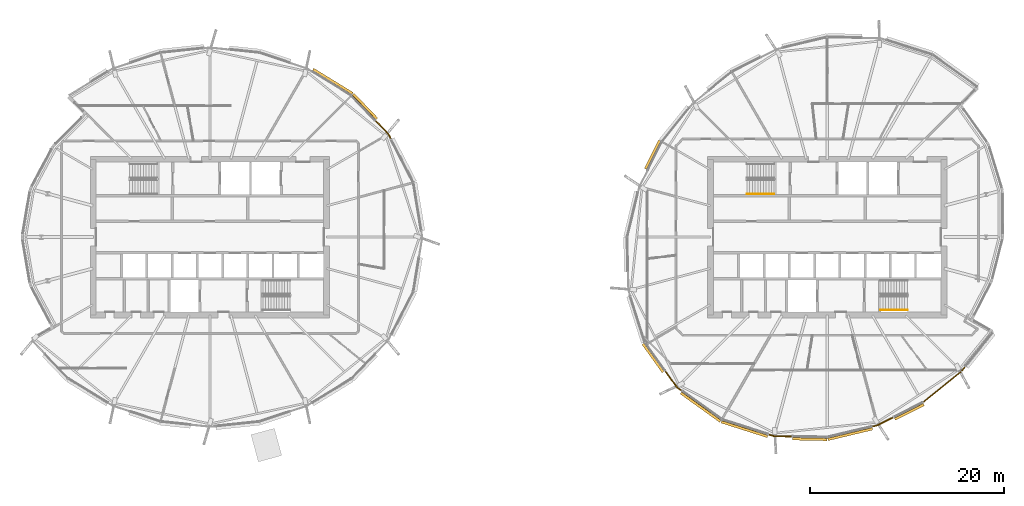
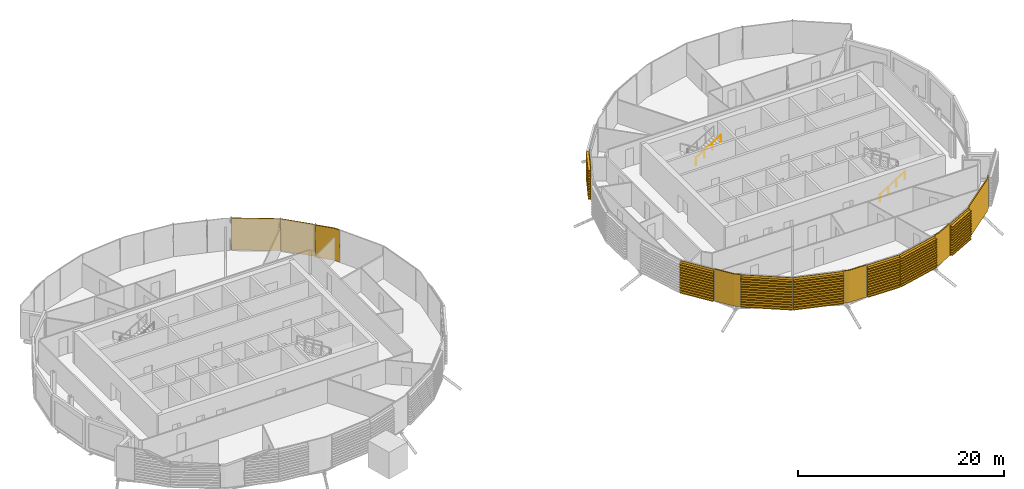
# One storey, part 36 of 38: 14 coverings, 2 railings.
"""IFC4 building model written with IfcOpenShell, lengths in metres."""

from ifc_helpers import new_model, si_unit, direction, frame, origin, origin_2d, place, context, subcontext, project, spatial, polyline, circle, outline, extrude, material, layer, layer_set, material_profile, profile_set, type_object, element, save


model = new_model("IFC4")

# Units and contexts
model_context = context("Model", 3, precision=1e-05, world=origin(), true_north=direction((0.0, 1.0)))
body_context = subcontext(model_context, "Body", "Model", "MODEL_VIEW")
ifc_project = project(units=[si_unit("LENGTHUNIT", "METRE"), si_unit("AREAUNIT", "SQUARE_METRE"), si_unit("VOLUMEUNIT", "CUBIC_METRE"), si_unit("PLANEANGLEUNIT", "RADIAN"), si_unit("MASSUNIT", "GRAM", prefix="KILO")], contexts=[model_context])

# Site, building, storey
site_placement = place(None, origin())
site = spatial("IfcSite", under=ifc_project, at=site_placement, CompositionType="ELEMENT")
building_placement = place(site_placement, origin())
building = spatial("IfcBuilding", under=site, at=building_placement, Name="Rimbun Link Towers", CompositionType="ELEMENT")
storey_placement = place(building_placement, frame((0.0, 0.0, 185.5)))
storey = spatial("IfcBuildingStorey", under=building, at=storey_placement, Name="L45", CompositionType="ELEMENT", Elevation=185.5)

# Coverings
ifc_material_1 = material(Name="Terracotta", Category="masonry")
ifc_layer = layer(ifc_material_1, 0.1201171875)
ifc_layer_set = layer_set([ifc_layer], Name="LINK PIER terracotta cladding 120")
covering_type_1 = type_object("IfcCoveringType", Name="LINK PIER terracotta cladding 120", PredefinedType="CLADDING", material=ifc_layer_set)
covering_1_placement = place(storey_placement, origin())
element("IfcCovering", 1, at=covering_1_placement, inside=storey, type_object=covering_type_1, Name="LINK PIER cladding", PredefinedType="CLADDING", context=body_context, shape_type="SweptSolid", body=[
    extrude(outline(polyline([(-14.771728515625, 11.95556640625), (-13.443115234375, 10.569580078125), (-13.18115234375, 10.0634765625), (-13.074462890625, 10.118408203125), (-13.344482421875, 10.64013671875), (-14.68505859375, 12.03857421875), (-14.771728515625, 11.95556640625)])), origin(), (0.0, 0.0, 1.0), 3.800048828125),
])
covering_2_placement = place(storey_placement, origin())
element("IfcCovering", 2, at=covering_2_placement, inside=storey, type_object=covering_type_1, Name="LINK PIER cladding", PredefinedType="CLADDING", context=body_context, shape_type="SweptSolid", body=[
    extrude(outline(polyline([(16.838134765625, -15.777099609375), (16.33447265625, -15.41552734375), (15.12744140625, -13.73388671875), (15.030029296875, -13.8037109375), (16.248291015625, -15.501708984375), (16.76806640625, -15.87451171875), (16.838134765625, -15.777099609375)])), origin(), (0.0, 0.0, 1.0), 3.800048828125),
])
covering_3_placement = place(storey_placement, origin())
element("IfcCovering", 3, at=covering_3_placement, inside=storey, type_object=covering_type_1, Name="LINK PIER cladding", PredefinedType="CLADDING", context=body_context, shape_type="SweptSolid", body=[
    extrude(outline(polyline([(28.1484375, -20.458251953125), (26.27880859375, -20.418701171875), (25.735595703125, -20.24609375), (25.69921875, -20.3603515625), (26.259033203125, -20.538330078125), (28.145751953125, -20.578125), (28.1484375, -20.458251953125)])), origin(), (0.0, 0.0, 1.0), 3.800048828125),
])
covering_4_placement = place(storey_placement, origin())
element("IfcCovering", 4, at=covering_4_placement, inside=storey, type_object=covering_type_1, Name="LINK PIER cladding", PredefinedType="CLADDING", context=body_context, shape_type="SweptSolid", body=[
    extrude(outline(polyline([(38.547119140625, -18.480712890625), (36.920654296875, -19.297607421875), (36.366455078125, -19.43017578125), (36.394287109375, -19.546875), (36.962158203125, -19.410888671875), (38.60107421875, -18.587890625), (38.547119140625, -18.480712890625)])), origin(), (0.0, 0.0, 1.0), 3.800048828125),
])
covering_5_placement = place(storey_placement, origin())
element("IfcCovering", 5, at=covering_5_placement, inside=storey, type_object=covering_type_1, Name="LINK PIER cladding", PredefinedType="CLADDING", context=body_context, shape_type="SweptSolid", body=[
    extrude(outline(polyline([(45.904052734375, -13.281982421875), (45.513916015625, -13.763916015625), (41.57275390625, -16.9541015625), (41.648193359375, -17.04736328125), (45.599365234375, -13.849365234375), (45.997314453125, -13.357666015625), (45.904052734375, -13.281982421875)])), origin(), (0.0, 0.0, 1.0), 3.800048828125),
])

# Railings
ifc_material_2 = material(Name="Stainless steel grade 316", Category="steel")
railing_type = type_object("IfcRailingType", Name="Stair handrail", PredefinedType="HANDRAIL", material=ifc_material_2)
for number, where, name in (
    (6, (23.5, 4.449951171875, 2.07275390625), "L45 ST3 stair handrail 2"),
    (7, (37.199951171875, -7.5, 0.172607421875), "L45 ST4 stair handrail 1"),
):
    element("IfcRailing", number, at=place(storey_placement, frame(where)), inside=storey, type_object=railing_type, Name=name, PredefinedType="HANDRAIL", context=body_context, shape_type="SweptSolid", body=[
        extrude(circle(Radius=0.02392578125, at=origin_2d()), frame((0.0, 0.0, 0.8759765625), z_axis=(0.851089632645, 0.0, 0.525020415988), x_axis=(0.0, 1.0, 0.0)), (0.0, 0.0, 1.0), 3.2900390625),
        extrude(circle(Radius=0.02099609375, at=origin_2d()), origin(), (0.0, 0.0, 1.0), 0.851806640625),
        extrude(circle(Radius=0.02099609375, at=origin_2d()), frame((0.933349609375, 0.0, 0.57568359375)), (0.0, 0.0, 1.0), 0.851806640625),
        extrude(circle(Radius=0.02099609375, at=origin_2d()), frame((1.86669921875, 0.0, 1.151611328125)), (0.0, 0.0, 1.0), 0.851806640625),
        extrude(circle(Radius=0.02099609375, at=origin_2d()), frame((2.800048828125, 0.0, 1.727294921875)), (0.0, 0.0, 1.0), 0.851806640625),
    ])

# Coverings
ifc_material_3 = material(Name="Terracotta", Category="masonry")
ifc_material_profile = material_profile(ifc_material_3, outline(polyline([(0.123046875, 0.0), (0.1630859375, 0.0), (0.1630859375, 0.10009765625), (0.423095703125, 0.10009765625), (0.423095703125, 0.219970703125), (0.1630859375, 0.219970703125), (0.1630859375, 0.39990234375), (0.423095703125, 0.39990234375), (0.423095703125, 0.52001953125), (0.1630859375, 0.52001953125), (0.1630859375, 0.699951171875), (0.423095703125, 0.699951171875), (0.423095703125, 0.820068359375), (0.1630859375, 0.820068359375), (0.1630859375, 1.0), (0.423095703125, 1.0), (0.423095703125, 1.1201171875), (0.1630859375, 1.1201171875), (0.1630859375, 1.300048828125), (0.423095703125, 1.300048828125), (0.423095703125, 1.419921875), (0.1630859375, 1.419921875), (0.1630859375, 1.60009765625), (0.423095703125, 1.60009765625), (0.423095703125, 1.719970703125), (0.1630859375, 1.719970703125), (0.1630859375, 1.89990234375), (0.423095703125, 1.89990234375), (0.423095703125, 2.02001953125), (0.1630859375, 2.02001953125), (0.1630859375, 2.199951171875), (0.423095703125, 2.199951171875), (0.423095703125, 2.320068359375), (0.1630859375, 2.320068359375), (0.1630859375, 2.5), (0.423095703125, 2.5), (0.423095703125, 2.6201171875), (0.1630859375, 2.6201171875), (0.1630859375, 2.800048828125), (0.423095703125, 2.800048828125), (0.423095703125, 2.919921875), (0.1630859375, 2.919921875), (0.1630859375, 3.10009765625), (0.423095703125, 3.10009765625), (0.423095703125, 3.219970703125), (0.1630859375, 3.219970703125), (0.1630859375, 3.39990234375), (0.423095703125, 3.39990234375), (0.423095703125, 3.52001953125), (0.1630859375, 3.52001953125), (0.1630859375, 3.800048828125), (0.123046875, 3.800048828125), (0.123046875, 0.0)])), Name="BAGUETTE 120X300")
ifc_profile_set = profile_set([ifc_material_profile], Name="Terracotta")
covering_type_2 = type_object("IfcCoveringType", Name="TERRACOTTA BAGUETTE 120X300 H3800", PredefinedType="CLADDING", material=ifc_profile_set)
covering_6_placement = place(storey_placement, frame((-17.230224609375, 14.519775390625, 0.0), z_axis=(0.692082982419, -0.721817944808, 0.0), x_axis=(0.721817944808, 0.692082982419, 0.0)))
element("IfcCovering", 8, at=covering_6_placement, inside=storey, type_object=covering_type_2, Name="TERRACOTTA BAGUETTE", PredefinedType="CLADDING", context=body_context, shape_type="SweptSolid", body=[
    extrude(outline(polyline([(0.123046875, 0.0), (0.1630859375, 0.0), (0.1630859375, 0.10009765625), (0.423095703125, 0.10009765625), (0.423095703125, 0.219970703125), (0.1630859375, 0.219970703125), (0.1630859375, 0.39990234375), (0.423095703125, 0.39990234375), (0.423095703125, 0.52001953125), (0.1630859375, 0.52001953125), (0.1630859375, 0.699951171875), (0.423095703125, 0.699951171875), (0.423095703125, 0.820068359375), (0.1630859375, 0.820068359375), (0.1630859375, 1.0), (0.423095703125, 1.0), (0.423095703125, 1.1201171875), (0.1630859375, 1.1201171875), (0.1630859375, 1.300048828125), (0.423095703125, 1.300048828125), (0.423095703125, 1.419921875), (0.1630859375, 1.419921875), (0.1630859375, 1.60009765625), (0.423095703125, 1.60009765625), (0.423095703125, 1.719970703125), (0.1630859375, 1.719970703125), (0.1630859375, 1.89990234375), (0.423095703125, 1.89990234375), (0.423095703125, 2.02001953125), (0.1630859375, 2.02001953125), (0.1630859375, 2.199951171875), (0.423095703125, 2.199951171875), (0.423095703125, 2.320068359375), (0.1630859375, 2.320068359375), (0.1630859375, 2.5), (0.423095703125, 2.5), (0.423095703125, 2.6201171875), (0.1630859375, 2.6201171875), (0.1630859375, 2.800048828125), (0.423095703125, 2.800048828125), (0.423095703125, 2.919921875), (0.1630859375, 2.919921875), (0.1630859375, 3.10009765625), (0.423095703125, 3.10009765625), (0.423095703125, 3.219970703125), (0.1630859375, 3.219970703125), (0.1630859375, 3.39990234375), (0.423095703125, 3.39990234375), (0.423095703125, 3.52001953125), (0.1630859375, 3.52001953125), (0.1630859375, 3.800048828125), (0.123046875, 3.800048828125), (0.123046875, 0.0)])), origin(), (0.0, 0.0, 1.0), 3.522216796875),
])
covering_7_placement = place(storey_placement, frame((-21.292236328125, 17.013916015625, 0.0), z_axis=(0.852178437942, -0.523251287535, 0.0), x_axis=(0.523251287535, 0.852178437942, 0.0)))
element("IfcCovering", 9, at=covering_7_placement, inside=storey, type_object=covering_type_2, Name="TERRACOTTA BAGUETTE", PredefinedType="CLADDING", context=body_context, shape_type="SweptSolid", body=[
    extrude(outline(polyline([(0.123046875, 0.0), (0.1630859375, 0.0), (0.1630859375, 0.10009765625), (0.423095703125, 0.10009765625), (0.423095703125, 0.219970703125), (0.1630859375, 0.219970703125), (0.1630859375, 0.39990234375), (0.423095703125, 0.39990234375), (0.423095703125, 0.52001953125), (0.1630859375, 0.52001953125), (0.1630859375, 0.699951171875), (0.423095703125, 0.699951171875), (0.423095703125, 0.820068359375), (0.1630859375, 0.820068359375), (0.1630859375, 1.0), (0.423095703125, 1.0), (0.423095703125, 1.1201171875), (0.1630859375, 1.1201171875), (0.1630859375, 1.300048828125), (0.423095703125, 1.300048828125), (0.423095703125, 1.419921875), (0.1630859375, 1.419921875), (0.1630859375, 1.60009765625), (0.423095703125, 1.60009765625), (0.423095703125, 1.719970703125), (0.1630859375, 1.719970703125), (0.1630859375, 1.89990234375), (0.423095703125, 1.89990234375), (0.423095703125, 2.02001953125), (0.1630859375, 2.02001953125), (0.1630859375, 2.199951171875), (0.423095703125, 2.199951171875), (0.423095703125, 2.320068359375), (0.1630859375, 2.320068359375), (0.1630859375, 2.5), (0.423095703125, 2.5), (0.423095703125, 2.6201171875), (0.1630859375, 2.6201171875), (0.1630859375, 2.800048828125), (0.423095703125, 2.800048828125), (0.423095703125, 2.919921875), (0.1630859375, 2.919921875), (0.1630859375, 3.10009765625), (0.423095703125, 3.10009765625), (0.423095703125, 3.219970703125), (0.1630859375, 3.219970703125), (0.1630859375, 3.39990234375), (0.423095703125, 3.39990234375), (0.423095703125, 3.52001953125), (0.1630859375, 3.52001953125), (0.1630859375, 3.800048828125), (0.123046875, 3.800048828125), (0.123046875, 0.0)])), origin(), (0.0, 0.0, 1.0), 4.7666015625),
])
covering_8_placement = place(storey_placement, frame((13.30517578125, 6.86865234375, 0.0), z_axis=(0.448820855962, 0.893621754017, 0.0), x_axis=(-0.893621754017, 0.448820855962, 0.0)))
element("IfcCovering", 10, at=covering_8_placement, inside=storey, type_object=covering_type_2, Name="TERRACOTTA BAGUETTE", PredefinedType="CLADDING", context=body_context, shape_type="SweptSolid", body=[
    extrude(outline(polyline([(0.123046875, 0.0), (0.1630859375, 0.0), (0.1630859375, 0.10009765625), (0.423095703125, 0.10009765625), (0.423095703125, 0.219970703125), (0.1630859375, 0.219970703125), (0.1630859375, 0.39990234375), (0.423095703125, 0.39990234375), (0.423095703125, 0.52001953125), (0.1630859375, 0.52001953125), (0.1630859375, 0.699951171875), (0.423095703125, 0.699951171875), (0.423095703125, 0.820068359375), (0.1630859375, 0.820068359375), (0.1630859375, 1.0), (0.423095703125, 1.0), (0.423095703125, 1.1201171875), (0.1630859375, 1.1201171875), (0.1630859375, 1.300048828125), (0.423095703125, 1.300048828125), (0.423095703125, 1.419921875), (0.1630859375, 1.419921875), (0.1630859375, 1.60009765625), (0.423095703125, 1.60009765625), (0.423095703125, 1.719970703125), (0.1630859375, 1.719970703125), (0.1630859375, 1.89990234375), (0.423095703125, 1.89990234375), (0.423095703125, 2.02001953125), (0.1630859375, 2.02001953125), (0.1630859375, 2.199951171875), (0.423095703125, 2.199951171875), (0.423095703125, 2.320068359375), (0.1630859375, 2.320068359375), (0.1630859375, 2.5), (0.423095703125, 2.5), (0.423095703125, 2.6201171875), (0.1630859375, 2.6201171875), (0.1630859375, 2.800048828125), (0.423095703125, 2.800048828125), (0.423095703125, 2.919921875), (0.1630859375, 2.919921875), (0.1630859375, 3.10009765625), (0.423095703125, 3.10009765625), (0.423095703125, 3.219970703125), (0.1630859375, 3.219970703125), (0.1630859375, 3.39990234375), (0.423095703125, 3.39990234375), (0.423095703125, 3.52001953125), (0.1630859375, 3.52001953125), (0.1630859375, 3.800048828125), (0.123046875, 3.800048828125), (0.123046875, 0.0)])), origin(), (0.0, 0.0, 1.0), 3.279541015625),
])
covering_9_placement = place(storey_placement, frame((15.110107421875, -13.70947265625, 0.0), z_axis=(-0.583028589075, 0.812451638143, 0.0), x_axis=(-0.812451638143, -0.583028589075, 0.0)))
element("IfcCovering", 11, at=covering_9_placement, inside=storey, type_object=covering_type_2, Name="TERRACOTTA BAGUETTE", PredefinedType="CLADDING", context=body_context, shape_type="SweptSolid", body=[
    extrude(outline(polyline([(0.123046875, 0.0), (0.1630859375, 0.0), (0.1630859375, 0.10009765625), (0.423095703125, 0.10009765625), (0.423095703125, 0.219970703125), (0.1630859375, 0.219970703125), (0.1630859375, 0.39990234375), (0.423095703125, 0.39990234375), (0.423095703125, 0.52001953125), (0.1630859375, 0.52001953125), (0.1630859375, 0.699951171875), (0.423095703125, 0.699951171875), (0.423095703125, 0.820068359375), (0.1630859375, 0.820068359375), (0.1630859375, 1.0), (0.423095703125, 1.0), (0.423095703125, 1.1201171875), (0.1630859375, 1.1201171875), (0.1630859375, 1.300048828125), (0.423095703125, 1.300048828125), (0.423095703125, 1.419921875), (0.1630859375, 1.419921875), (0.1630859375, 1.60009765625), (0.423095703125, 1.60009765625), (0.423095703125, 1.719970703125), (0.1630859375, 1.719970703125), (0.1630859375, 1.89990234375), (0.423095703125, 1.89990234375), (0.423095703125, 2.02001953125), (0.1630859375, 2.02001953125), (0.1630859375, 2.199951171875), (0.423095703125, 2.199951171875), (0.423095703125, 2.320068359375), (0.1630859375, 2.320068359375), (0.1630859375, 2.5), (0.423095703125, 2.5), (0.423095703125, 2.6201171875), (0.1630859375, 2.6201171875), (0.1630859375, 2.800048828125), (0.423095703125, 2.800048828125), (0.423095703125, 2.919921875), (0.1630859375, 2.919921875), (0.1630859375, 3.10009765625), (0.423095703125, 3.10009765625), (0.423095703125, 3.219970703125), (0.1630859375, 3.219970703125), (0.1630859375, 3.39990234375), (0.423095703125, 3.39990234375), (0.423095703125, 3.52001953125), (0.1630859375, 3.52001953125), (0.1630859375, 3.800048828125), (0.123046875, 3.800048828125), (0.123046875, 0.0)])), origin(), (0.0, 0.0, 1.0), 3.5703125),
])
covering_10_placement = place(storey_placement, frame((20.941162109375, -18.721435546875, 0.0), z_axis=(-0.812463132053, 0.583012571953, 0.0), x_axis=(-0.583012571953, -0.812463132053, 0.0)))
element("IfcCovering", 12, at=covering_10_placement, inside=storey, type_object=covering_type_2, Name="TERRACOTTA BAGUETTE", PredefinedType="CLADDING", context=body_context, shape_type="SweptSolid", body=[
    extrude(outline(polyline([(0.123046875, 0.0), (0.1630859375, 0.0), (0.1630859375, 0.10009765625), (0.423095703125, 0.10009765625), (0.423095703125, 0.219970703125), (0.1630859375, 0.219970703125), (0.1630859375, 0.39990234375), (0.423095703125, 0.39990234375), (0.423095703125, 0.52001953125), (0.1630859375, 0.52001953125), (0.1630859375, 0.699951171875), (0.423095703125, 0.699951171875), (0.423095703125, 0.820068359375), (0.1630859375, 0.820068359375), (0.1630859375, 1.0), (0.423095703125, 1.0), (0.423095703125, 1.1201171875), (0.1630859375, 1.1201171875), (0.1630859375, 1.300048828125), (0.423095703125, 1.300048828125), (0.423095703125, 1.419921875), (0.1630859375, 1.419921875), (0.1630859375, 1.60009765625), (0.423095703125, 1.60009765625), (0.423095703125, 1.719970703125), (0.1630859375, 1.719970703125), (0.1630859375, 1.89990234375), (0.423095703125, 1.89990234375), (0.423095703125, 2.02001953125), (0.1630859375, 2.02001953125), (0.1630859375, 2.199951171875), (0.423095703125, 2.199951171875), (0.423095703125, 2.320068359375), (0.1630859375, 2.320068359375), (0.1630859375, 2.5), (0.423095703125, 2.5), (0.423095703125, 2.6201171875), (0.1630859375, 2.6201171875), (0.1630859375, 2.800048828125), (0.423095703125, 2.800048828125), (0.423095703125, 2.919921875), (0.1630859375, 2.919921875), (0.1630859375, 3.10009765625), (0.423095703125, 3.10009765625), (0.423095703125, 3.219970703125), (0.1630859375, 3.219970703125), (0.1630859375, 3.39990234375), (0.423095703125, 3.39990234375), (0.423095703125, 3.52001953125), (0.1630859375, 3.52001953125), (0.1630859375, 3.800048828125), (0.123046875, 3.800048828125), (0.123046875, 0.0)])), origin(), (0.0, 0.0, 1.0), 5.02001953125),
])
covering_11_placement = place(storey_placement, frame((25.70703125, -20.237060546875, 0.0), z_axis=(-0.952971289765, 0.303060589461, 0.0), x_axis=(-0.303060589461, -0.952971289765, 0.0)))
element("IfcCovering", 13, at=covering_11_placement, inside=storey, type_object=covering_type_2, Name="TERRACOTTA BAGUETTE", PredefinedType="CLADDING", context=body_context, shape_type="SweptSolid", body=[
    extrude(outline(polyline([(0.123046875, 0.0), (0.1630859375, 0.0), (0.1630859375, 0.10009765625), (0.423095703125, 0.10009765625), (0.423095703125, 0.219970703125), (0.1630859375, 0.219970703125), (0.1630859375, 0.39990234375), (0.423095703125, 0.39990234375), (0.423095703125, 0.52001953125), (0.1630859375, 0.52001953125), (0.1630859375, 0.699951171875), (0.423095703125, 0.699951171875), (0.423095703125, 0.820068359375), (0.1630859375, 0.820068359375), (0.1630859375, 1.0), (0.423095703125, 1.0), (0.423095703125, 1.1201171875), (0.1630859375, 1.1201171875), (0.1630859375, 1.300048828125), (0.423095703125, 1.300048828125), (0.423095703125, 1.419921875), (0.1630859375, 1.419921875), (0.1630859375, 1.60009765625), (0.423095703125, 1.60009765625), (0.423095703125, 1.719970703125), (0.1630859375, 1.719970703125), (0.1630859375, 1.89990234375), (0.423095703125, 1.89990234375), (0.423095703125, 2.02001953125), (0.1630859375, 2.02001953125), (0.1630859375, 2.199951171875), (0.423095703125, 2.199951171875), (0.423095703125, 2.320068359375), (0.1630859375, 2.320068359375), (0.1630859375, 2.5), (0.423095703125, 2.5), (0.423095703125, 2.6201171875), (0.1630859375, 2.6201171875), (0.1630859375, 2.800048828125), (0.423095703125, 2.800048828125), (0.423095703125, 2.919921875), (0.1630859375, 2.919921875), (0.1630859375, 3.10009765625), (0.423095703125, 3.10009765625), (0.423095703125, 3.219970703125), (0.1630859375, 3.219970703125), (0.1630859375, 3.39990234375), (0.423095703125, 3.39990234375), (0.423095703125, 3.52001953125), (0.1630859375, 3.52001953125), (0.1630859375, 3.800048828125), (0.123046875, 3.800048828125), (0.123046875, 0.0)])), origin(), (0.0, 0.0, 1.0), 5.0009765625),
])
covering_12_placement = place(storey_placement, frame((31.75, -20.5341796875, 0.0), z_axis=(-0.999776996135, 0.021117717671, 0.0), x_axis=(-0.021117717671, -0.999776996135, 0.0)))
element("IfcCovering", 14, at=covering_12_placement, inside=storey, type_object=covering_type_2, Name="TERRACOTTA BAGUETTE", PredefinedType="CLADDING", context=body_context, shape_type="SweptSolid", body=[
    extrude(outline(polyline([(0.123046875, 0.0), (0.1630859375, 0.0), (0.1630859375, 0.10009765625), (0.423095703125, 0.10009765625), (0.423095703125, 0.219970703125), (0.1630859375, 0.219970703125), (0.1630859375, 0.39990234375), (0.423095703125, 0.39990234375), (0.423095703125, 0.52001953125), (0.1630859375, 0.52001953125), (0.1630859375, 0.699951171875), (0.423095703125, 0.699951171875), (0.423095703125, 0.820068359375), (0.1630859375, 0.820068359375), (0.1630859375, 1.0), (0.423095703125, 1.0), (0.423095703125, 1.1201171875), (0.1630859375, 1.1201171875), (0.1630859375, 1.300048828125), (0.423095703125, 1.300048828125), (0.423095703125, 1.419921875), (0.1630859375, 1.419921875), (0.1630859375, 1.60009765625), (0.423095703125, 1.60009765625), (0.423095703125, 1.719970703125), (0.1630859375, 1.719970703125), (0.1630859375, 1.89990234375), (0.423095703125, 1.89990234375), (0.423095703125, 2.02001953125), (0.1630859375, 2.02001953125), (0.1630859375, 2.199951171875), (0.423095703125, 2.199951171875), (0.423095703125, 2.320068359375), (0.1630859375, 2.320068359375), (0.1630859375, 2.5), (0.423095703125, 2.5), (0.423095703125, 2.6201171875), (0.1630859375, 2.6201171875), (0.1630859375, 2.800048828125), (0.423095703125, 2.800048828125), (0.423095703125, 2.919921875), (0.1630859375, 2.919921875), (0.1630859375, 3.10009765625), (0.423095703125, 3.10009765625), (0.423095703125, 3.219970703125), (0.1630859375, 3.219970703125), (0.1630859375, 3.39990234375), (0.423095703125, 3.39990234375), (0.423095703125, 3.52001953125), (0.1630859375, 3.52001953125), (0.1630859375, 3.800048828125), (0.123046875, 3.800048828125), (0.123046875, 0.0)])), origin(), (0.0, 0.0, 1.0), 3.572265625),
])
covering_13_placement = place(storey_placement, frame((36.337158203125, -19.43701171875, 0.0), z_axis=(-0.972567436525, -0.232621111275, 0.0), x_axis=(0.232621111275, -0.972567436525, 0.0)))
element("IfcCovering", 15, at=covering_13_placement, inside=storey, type_object=covering_type_2, Name="TERRACOTTA BAGUETTE", PredefinedType="CLADDING", context=body_context, shape_type="SweptSolid", body=[
    extrude(outline(polyline([(0.123046875, 0.0), (0.1630859375, 0.0), (0.1630859375, 0.10009765625), (0.423095703125, 0.10009765625), (0.423095703125, 0.219970703125), (0.1630859375, 0.219970703125), (0.1630859375, 0.39990234375), (0.423095703125, 0.39990234375), (0.423095703125, 0.52001953125), (0.1630859375, 0.52001953125), (0.1630859375, 0.699951171875), (0.423095703125, 0.699951171875), (0.423095703125, 0.820068359375), (0.1630859375, 0.820068359375), (0.1630859375, 1.0), (0.423095703125, 1.0), (0.423095703125, 1.1201171875), (0.1630859375, 1.1201171875), (0.1630859375, 1.300048828125), (0.423095703125, 1.300048828125), (0.423095703125, 1.419921875), (0.1630859375, 1.419921875), (0.1630859375, 1.60009765625), (0.423095703125, 1.60009765625), (0.423095703125, 1.719970703125), (0.1630859375, 1.719970703125), (0.1630859375, 1.89990234375), (0.423095703125, 1.89990234375), (0.423095703125, 2.02001953125), (0.1630859375, 2.02001953125), (0.1630859375, 2.199951171875), (0.423095703125, 2.199951171875), (0.423095703125, 2.320068359375), (0.1630859375, 2.320068359375), (0.1630859375, 2.5), (0.423095703125, 2.5), (0.423095703125, 2.6201171875), (0.1630859375, 2.6201171875), (0.1630859375, 2.800048828125), (0.423095703125, 2.800048828125), (0.423095703125, 2.919921875), (0.1630859375, 2.919921875), (0.1630859375, 3.10009765625), (0.423095703125, 3.10009765625), (0.423095703125, 3.219970703125), (0.1630859375, 3.219970703125), (0.1630859375, 3.39990234375), (0.423095703125, 3.39990234375), (0.423095703125, 3.52001953125), (0.1630859375, 3.52001953125), (0.1630859375, 3.800048828125), (0.123046875, 3.800048828125), (0.123046875, 0.0)])), origin(), (0.0, 0.0, 1.0), 4.716552734375),
])
covering_14_placement = place(storey_placement, frame((41.54931640625, -16.972900390625, 0.0), z_axis=(-0.89361915461, -0.448826031457, 0.0), x_axis=(0.448826031457, -0.89361915461, 0.0)))
element("IfcCovering", 16, at=covering_14_placement, inside=storey, type_object=covering_type_2, Name="TERRACOTTA BAGUETTE", PredefinedType="CLADDING", context=body_context, shape_type="SweptSolid", body=[
    extrude(outline(polyline([(0.123046875, 0.0), (0.1630859375, 0.0), (0.1630859375, 0.10009765625), (0.423095703125, 0.10009765625), (0.423095703125, 0.219970703125), (0.1630859375, 0.219970703125), (0.1630859375, 0.39990234375), (0.423095703125, 0.39990234375), (0.423095703125, 0.52001953125), (0.1630859375, 0.52001953125), (0.1630859375, 0.699951171875), (0.423095703125, 0.699951171875), (0.423095703125, 0.820068359375), (0.1630859375, 0.820068359375), (0.1630859375, 1.0), (0.423095703125, 1.0), (0.423095703125, 1.1201171875), (0.1630859375, 1.1201171875), (0.1630859375, 1.300048828125), (0.423095703125, 1.300048828125), (0.423095703125, 1.419921875), (0.1630859375, 1.419921875), (0.1630859375, 1.60009765625), (0.423095703125, 1.60009765625), (0.423095703125, 1.719970703125), (0.1630859375, 1.719970703125), (0.1630859375, 1.89990234375), (0.423095703125, 1.89990234375), (0.423095703125, 2.02001953125), (0.1630859375, 2.02001953125), (0.1630859375, 2.199951171875), (0.423095703125, 2.199951171875), (0.423095703125, 2.320068359375), (0.1630859375, 2.320068359375), (0.1630859375, 2.5), (0.423095703125, 2.5), (0.423095703125, 2.6201171875), (0.1630859375, 2.6201171875), (0.1630859375, 2.800048828125), (0.423095703125, 2.800048828125), (0.423095703125, 2.919921875), (0.1630859375, 2.919921875), (0.1630859375, 3.10009765625), (0.423095703125, 3.10009765625), (0.423095703125, 3.219970703125), (0.1630859375, 3.219970703125), (0.1630859375, 3.39990234375), (0.423095703125, 3.39990234375), (0.423095703125, 3.52001953125), (0.1630859375, 3.52001953125), (0.1630859375, 3.800048828125), (0.123046875, 3.800048828125), (0.123046875, 0.0)])), origin(), (0.0, 0.0, 1.0), 3.32958984375),
])

save(model, "model.ifc")
